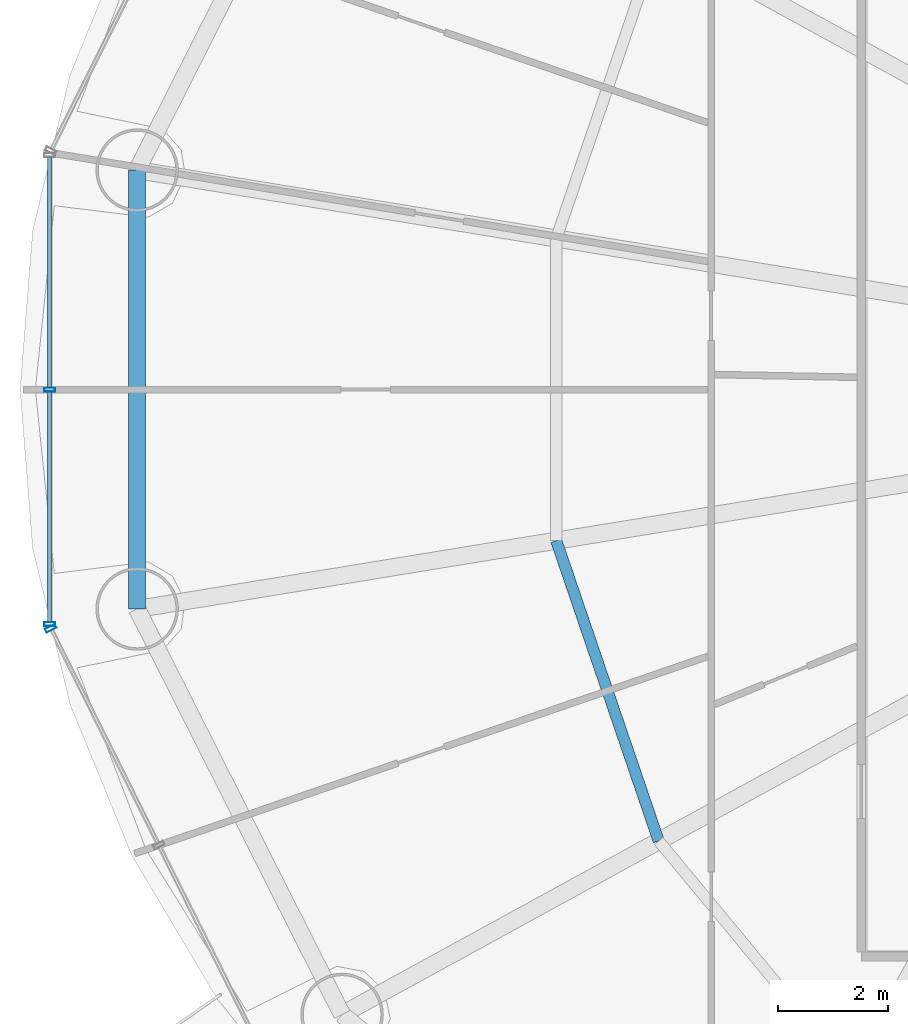
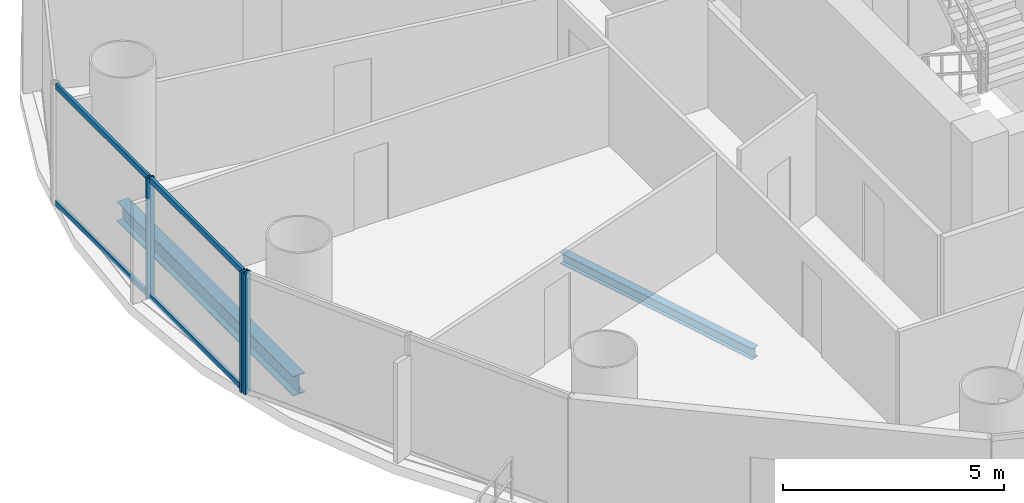
# One storey, part 7 of 29: 7 members, 2 beams, 2 elements without a shape of their own.
"""IFC4 building model written with IfcOpenShell, lengths in metres."""

from ifc_helpers import new_model, si_unit, direction, frame, origin, origin_2d, place, context, subcontext, project, spatial, hollow_rectangle, i_section, extrude, source, transform, mapped, material, material_profile, profile_set, type_object, element, aggregate, save


model = new_model("IFC4")

# Units and contexts
model_context = context("Model", 3, precision=1e-05, world=origin(), true_north=direction((-0.2419218956, 0.970295726276)))
body_context = subcontext(model_context, "Body", "Model", "MODEL_VIEW")
ifc_project = project(units=[si_unit("LENGTHUNIT", "METRE"), si_unit("AREAUNIT", "SQUARE_METRE"), si_unit("VOLUMEUNIT", "CUBIC_METRE"), si_unit("PLANEANGLEUNIT", "RADIAN"), si_unit("MASSUNIT", "GRAM", prefix="KILO")], contexts=[model_context])

# Site, building, storey
site_placement = place(None, origin())
site = spatial("IfcSite", under=ifc_project, at=site_placement, CompositionType="ELEMENT")
building_placement = place(site_placement, origin())
building = spatial("IfcBuilding", under=site, at=building_placement, Name="Cobrevalo Terracotta Tower", CompositionType="ELEMENT")
storey_placement = place(building_placement, frame((0.0, 0.0, 119.39990234375)))
storey = spatial("IfcBuildingStorey", under=building, at=storey_placement, Name="L31", CompositionType="ELEMENT", Elevation=119.39990234375)

# Beams
ifc_material_1 = material(Name="Steel S355", Category="steel")
ifc_material_profile_1 = material_profile(ifc_material_1, i_section(OverallWidth=0.2041015625, OverallDepth=0.305908203125, WebThickness=0.008544921875, FlangeThickness=0.0146484375, at=origin_2d()), Name="W 310x67")
ifc_profile_set_1 = profile_set([ifc_material_profile_1], Name="Steel S355")
beam_type_1 = type_object("IfcBeamType", Name="Structural Joist W 310x67 (Steel S355)", PredefinedType="JOIST", material=ifc_profile_set_1)
beam_1_placement = place(storey_placement, frame((21.149658203125, 24.052734375, -0.427978515625), z_axis=(0.322846227919, -0.946451431991, 0.0), x_axis=(0.946451431991, 0.322846227919, 0.0)))
element("IfcBeam", 1, at=beam_1_placement, inside=storey, type_object=beam_type_1, Name="L31 circumferential secondary floor joist 09", PredefinedType="JOIST", context=body_context, shape_type="SweptSolid", body=[
    extrude(i_section(OverallWidth=0.2041015625, OverallDepth=0.305908203125, WebThickness=0.008544921875, FlangeThickness=0.0146484375, at=origin_2d()), origin(), (0.0, 0.0, 1.0), 5.77001953125),
])
ifc_material_profile_2 = material_profile(ifc_material_1, i_section(OverallWidth=0.31201171875, OverallDepth=0.54296875, WebThickness=0.0126953125, FlangeThickness=0.020263671875, at=origin_2d()), Name="W 530x150")
ifc_profile_set_2 = profile_set([ifc_material_profile_2], Name="Steel S355")
beam_type_2 = type_object("IfcBeamType", Name="Structural Spandrel W 530x150 (Steel S355)", PredefinedType="SPANDREL", material=ifc_profile_set_2)
beam_2_placement = place(storey_placement, frame((13.529296875, 30.78955078125, -0.54638671875), z_axis=(0.0, -1.0, 0.0), x_axis=(1.0, 0.0, 0.0)))
element("IfcBeam", 2, at=beam_2_placement, inside=storey, type_object=beam_type_2, Name="L31 perimeter ring spandrel 08", PredefinedType="SPANDREL", context=body_context, shape_type="SweptSolid", body=[
    extrude(i_section(OverallWidth=0.31201171875, OverallDepth=0.54296875, WebThickness=0.0126953125, FlangeThickness=0.020263671875, at=origin_2d()), origin(), (0.0, 0.0, 1.0), 7.979248046875),
])

# Curtain wall, members
ifc_material_2 = material(Name="Anodized aluminium", Category="aluminium")
curtain_wall_type = type_object("IfcCurtainWallType", Name="Lower-tower unitised acoustic low-E curtain wall CW-U1", PredefinedType="NOTDEFINED", material=ifc_material_2)
curtain_wall_1_placement = place(storey_placement, origin())
curtain_wall_1 = element("IfcCurtainWall", 3, at=curtain_wall_1_placement, inside=storey, type_object=curtain_wall_type, Name="L31 curtain wall CW-L31-S08", PredefinedType="NOTDEFINED")
ifc_material_profile_3 = material_profile(ifc_material_2, hollow_rectangle(XDim=0.074951171875, YDim=0.14990234375, WallThickness=0.00439453125, at=origin_2d()), Name="CWT 75x150")
ifc_profile_set_3 = profile_set([ifc_material_profile_3], Name="Anodized aluminium")
member_type_1 = type_object("IfcMemberType", Name="Tower unitised aluminium transom 75x150", PredefinedType="USERDEFINED", material=ifc_profile_set_3)
shared_shape_1 = source(origin(), body_context, "Body", "SweptSolid", [
    extrude(hollow_rectangle(XDim=0.074951171875, YDim=0.14990234375, WallThickness=0.00439453125, at=origin_2d()), origin(), (0.0, 0.0, 1.0), 4.185546875),
])
member_1_placement = place(storey_placement, frame((11.9404296875, 31.025634765625, 0.050048828125), z_axis=(0.0, -1.0, 0.0), x_axis=(1.0, 0.0, 0.0)))
member_1 = element("IfcMember", 4, at=member_1_placement, type_object=member_type_1, Name="CW-L31-S08 transom B01-T1", ObjectType="TRANSOM", PredefinedType="USERDEFINED", context=body_context, shape_type="MappedRepresentation", body=[
    mapped(shared_shape_1, transform((0.0, 0.0, 0.0), scale=1.0)),
])
member_2_placement = place(storey_placement, frame((11.9404296875, 31.025634765625, 3.275146484375), z_axis=(0.0, -1.0, 0.0), x_axis=(1.0, 0.0, 0.0)))
member_2 = element("IfcMember", 5, at=member_2_placement, type_object=member_type_1, Name="CW-L31-S08 transom B01-T2", ObjectType="TRANSOM", PredefinedType="USERDEFINED", context=body_context, shape_type="MappedRepresentation", body=[
    mapped(shared_shape_1, transform((0.0, 0.0, 0.0), scale=1.0)),
])
member_3_placement = place(storey_placement, frame((11.9404296875, 26.760009765625, 0.050048828125), z_axis=(0.0, -1.0, 0.0), x_axis=(1.0, 0.0, 0.0)))
member_3 = element("IfcMember", 6, at=member_3_placement, type_object=member_type_1, Name="CW-L31-S08 transom B02-T1", ObjectType="TRANSOM", PredefinedType="USERDEFINED", context=body_context, shape_type="MappedRepresentation", body=[
    mapped(shared_shape_1, transform((0.0, 0.0, 0.0), scale=1.0)),
])
member_4_placement = place(storey_placement, frame((11.9404296875, 26.760009765625, 3.275146484375), z_axis=(0.0, -1.0, 0.0), x_axis=(1.0, 0.0, 0.0)))
member_4 = element("IfcMember", 7, at=member_4_placement, type_object=member_type_1, Name="CW-L31-S08 transom B02-T2", ObjectType="TRANSOM", PredefinedType="USERDEFINED", context=body_context, shape_type="MappedRepresentation", body=[
    mapped(shared_shape_1, transform((0.0, 0.0, 0.0), scale=1.0)),
])
ifc_material_profile_4 = material_profile(ifc_material_2, hollow_rectangle(XDim=0.074951171875, YDim=0.199951171875, WallThickness=0.0048828125, at=origin_2d()), Name="CWM 75x200")
ifc_profile_set_4 = profile_set([ifc_material_profile_4], Name="Anodized aluminium")
member_type_2 = type_object("IfcMemberType", Name="Lower/mid tower unitised mullion 75x200", PredefinedType="MULLION", material=ifc_profile_set_4)
shared_shape_2 = source(origin(), body_context, "Body", "SweptSolid", [
    extrude(hollow_rectangle(XDim=0.074951171875, YDim=0.199951171875, WallThickness=0.0048828125, at=origin_2d()), origin(), (0.0, 0.0, 1.0), 3.3251953125),
])
member_5_placement = place(storey_placement, frame((11.9404296875, 26.800048828125, 0.0), z_axis=(0.0, 0.0, 1.0), x_axis=(0.0, -1.0, 0.0)))
member_5 = element("IfcMember", 8, at=member_5_placement, type_object=member_type_2, Name="CW-L31-S08 vertical mullion 02", PredefinedType="MULLION", context=body_context, shape_type="MappedRepresentation", body=[
    mapped(shared_shape_2, transform((0.0, 0.0, 0.0), scale=1.0)),
])
member_6_placement = place(storey_placement, frame((11.9404296875, 22.534423828125, 0.0), z_axis=(0.0, 0.0, 1.0), x_axis=(0.0, -1.0, 0.0)))
member_6 = element("IfcMember", 9, at=member_6_placement, type_object=member_type_2, Name="CW-L31-S08 vertical mullion 03", PredefinedType="MULLION", context=body_context, shape_type="MappedRepresentation", body=[
    mapped(shared_shape_2, transform((0.0, 0.0, 0.0), scale=1.0)),
])
aggregate(curtain_wall_1, [member_5, member_6, member_1, member_2, member_3, member_4])

# Curtain wall, member
curtain_wall_2_placement = place(storey_placement, origin())
curtain_wall_2 = element("IfcCurtainWall", 10, at=curtain_wall_2_placement, inside=storey, type_object=curtain_wall_type, Name="L31 curtain wall CW-L31-S09", PredefinedType="NOTDEFINED")
member_7_placement = place(storey_placement, frame((11.95849609375, 22.45849609375, 0.0), z_axis=(0.0, 0.0, 1.0), x_axis=(0.446260290227, -0.894903208937, 0.0)))
member_7 = element("IfcMember", 11, at=member_7_placement, type_object=member_type_2, Name="CW-L31-S09 vertical mullion 01", PredefinedType="MULLION", context=body_context, shape_type="MappedRepresentation", body=[
    mapped(shared_shape_2, transform((0.0, 0.0, 0.0), scale=1.0)),
])
aggregate(curtain_wall_2, [member_7])

save(model, "model.ifc")
